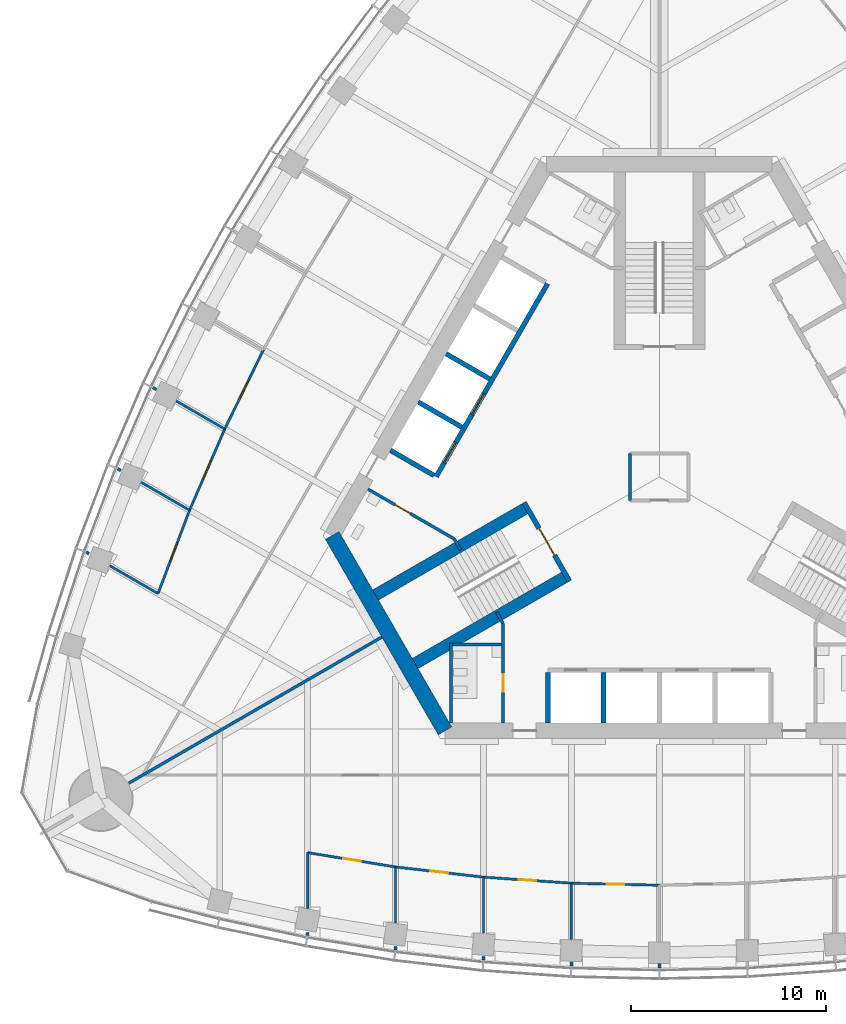
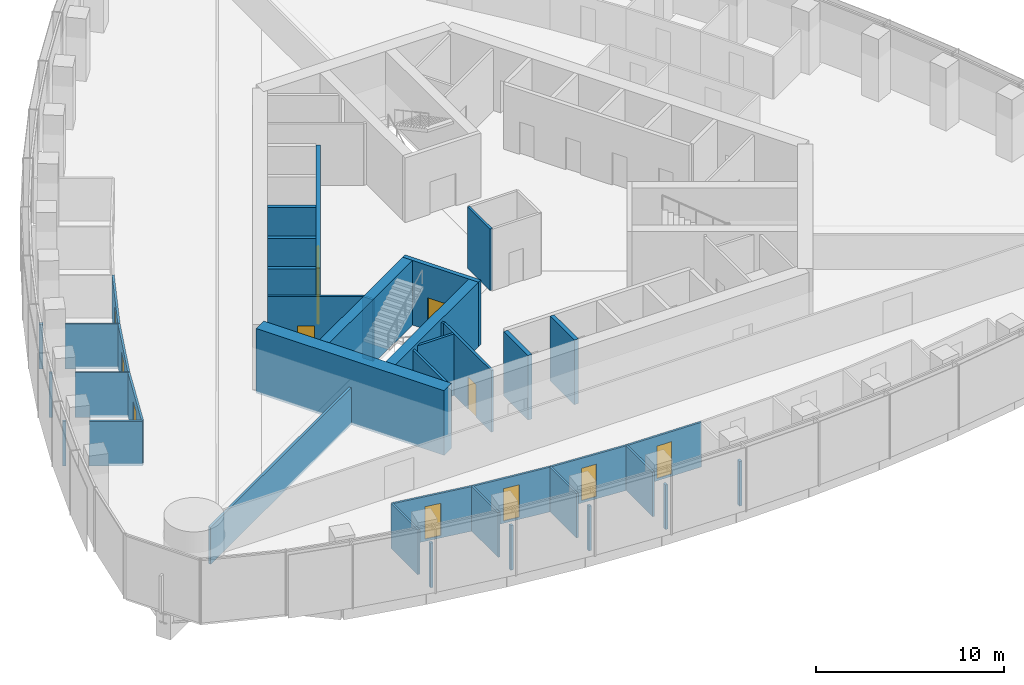
# One storey, part 11 of 20: 40 walls, 12 doors, 12 openings.
"""IFC4 building model written with IfcOpenShell, lengths in metres."""

from ifc_helpers import new_model, si_unit, direction, frame, frame_2d, origin, place, context, subcontext, project, spatial, rectangle, extrude, material, layer, layer_set, type_object, element, fill, save


model = new_model("IFC4")

# Units and contexts
model_context = context("Model", 3, precision=1e-05, world=origin(), true_north=direction((0.0, 1.0)))
body_context = subcontext(model_context, "Body", "Model", "MODEL_VIEW")
ifc_project = project(units=[si_unit("LENGTHUNIT", "METRE"), si_unit("AREAUNIT", "SQUARE_METRE"), si_unit("VOLUMEUNIT", "CUBIC_METRE"), si_unit("PLANEANGLEUNIT", "RADIAN"), si_unit("MASSUNIT", "GRAM", prefix="KILO")], contexts=[model_context])

# Site, building, storey
site_placement = place(None, origin())
site = spatial("IfcSite", under=ifc_project, at=site_placement, CompositionType="ELEMENT")
building_placement = place(site_placement, origin())
building = spatial("IfcBuilding", under=site, at=building_placement, Name="Trefoil Bronze Tower", CompositionType="ELEMENT")
storey_placement = place(building_placement, frame((0.0, 0.0, 219.10009765625)))
storey = spatial("IfcBuildingStorey", under=building, at=storey_placement, Name="L50", CompositionType="ELEMENT", Elevation=219.10009765625)

# Wall
ifc_material_1 = material(Name="Concrete B80", Category="concrete")
ifc_layer_1 = layer(ifc_material_1, 0.800048828125)
ifc_layer_set_1 = layer_set([ifc_layer_1], Name="Core wall 800")
wall_type_1 = type_object("IfcWallType", Name="Core wall 800", PredefinedType="SHEAR", material=ifc_layer_set_1)
wall_1_placement = place(storey_placement, frame((-16.7431640625, -3.0, 0.0), z_axis=(0.0, 0.0, 1.0), x_axis=(0.499995765644, -0.866027848477, 0.0)))
element("IfcWall", 1, at=wall_1_placement, inside=storey, type_object=wall_type_1, Name="Core short wall 3 L50", PredefinedType="SHEAR", context=body_context, shape_type="SweptSolid", body=[
    extrude(rectangle(XDim=11.546875, YDim=0.800048828125, at=frame_2d((5.7734375, 0.0))), origin(), (0.0, 0.0, 1.0), 4.199951171875),
])

# Wall, opening, door
ifc_material_2 = material(Name="Glazed partition", Category="glass")
ifc_layer_2 = layer(ifc_material_2, 0.1201171875)
ifc_layer_set_2 = layer_set([ifc_layer_2], Name="Glazed partition 120")
wall_type_2 = type_object("IfcWallType", Name="Glazed partition 120", PredefinedType="PARTITIONING", material=ifc_layer_set_2)
wall_2_placement = place(storey_placement, frame((-13.5, -19.966064453125, 0.0), z_axis=(0.0, 0.0, 1.0), x_axis=(0.993382946625, -0.114849124309, 0.0)))
wall_2 = element("IfcWall", 2, at=wall_2_placement, inside=storey, type_object=wall_type_2, Name="Partition F1 L50", PredefinedType="PARTITIONING", context=body_context, shape_type="SweptSolid", body=[
    extrude(rectangle(XDim=4.530029296875, YDim=0.1201171875, at=frame_2d((2.26513671875, 0.0))), origin(), (0.0, 0.0, 1.0), 2.89990234375),
])
opening_1_placement = place(wall_2_placement, frame((1.800048828125, 0.0, 0.14990234375)))
opening_1 = element("IfcOpeningElement", 3, at=opening_1_placement, cuts=wall_2, Name="Opening D8", PredefinedType="OPENING", context=body_context, shape_type="SweptSolid", body=[
    extrude(rectangle(XDim=0.89990234375, YDim=2.10009765625, at=frame_2d((0.449951171875, 1.050048828125))), frame((0.0, 0.070068359375, 0.0), z_axis=(0.0, -1.0, 0.0), x_axis=(1.0, 0.0, 0.0)), (0.0, 0.0, 1.0), 0.14013671875),
])
ifc_material_3 = material(Name="Timber door", Category="wood")
door_type_1 = type_object("IfcDoorType", Name="Office door 900", OperationType="SINGLE_SWING_LEFT", PredefinedType="DOOR", material=ifc_material_3)
door_1_placement = place(opening_1_placement, frame((0.89990234375, 0.0, 0.0), z_axis=(0.0, 0.0, 1.0), x_axis=(-1.0, 0.0, 0.0)))
door_1 = element("IfcDoor", 4, at=door_1_placement, inside=storey, type_object=door_type_1, Name="Office door F1 L50", OperationType="SINGLE_SWING_RIGHT", OverallHeight=2.10009765625, OverallWidth=0.89990234375, PredefinedType="DOOR", context=body_context, shape_type="SweptSolid", body=[
    extrude(rectangle(XDim=0.89990234375, YDim=2.10009765625, at=frame_2d((0.449951171875, 1.050048828125))), frame((0.0, 0.02490234375, 0.0), z_axis=(0.0, -1.0, 0.0), x_axis=(1.0, 0.0, 0.0)), (0.0, 0.0, 1.0), 0.050048828125),
])
fill(opening_1, door_1)

wall_3_placement = place(storey_placement, frame((-18.0, -19.23291015625, 0.0), z_axis=(0.0, 0.0, 1.0), x_axis=(0.986986525477, -0.160802980469, 0.0)))
wall_3 = element("IfcWall", 5, at=wall_3_placement, inside=storey, type_object=wall_type_2, Name="Partition F1 L50", PredefinedType="PARTITIONING", context=body_context, shape_type="SweptSolid", body=[
    extrude(rectangle(XDim=4.559326171875, YDim=0.1201171875, at=frame_2d((2.27978515625, 0.0))), origin(), (0.0, 0.0, 1.0), 2.89990234375),
])
opening_2_placement = place(wall_3_placement, frame((1.85009765625, 0.0, 0.14990234375)))
opening_2 = element("IfcOpeningElement", 6, at=opening_2_placement, cuts=wall_3, Name="Opening D8", PredefinedType="OPENING", context=body_context, shape_type="SweptSolid", body=[
    extrude(rectangle(XDim=0.89990234375, YDim=2.10009765625, at=frame_2d((0.449951171875, 1.050048828125))), frame((0.0, 0.070068359375, 0.0), z_axis=(0.0, -1.0, 0.0), x_axis=(1.0, 0.0, 0.0)), (0.0, 0.0, 1.0), 0.14013671875),
])
door_2_placement = place(opening_2_placement, frame((0.89990234375, 0.0, 0.0), z_axis=(0.0, 0.0, 1.0), x_axis=(-1.0, 0.0, 0.0)))
door_2 = element("IfcDoor", 7, at=door_2_placement, inside=storey, type_object=door_type_1, Name="Office door F1 L50", OperationType="SINGLE_SWING_LEFT", OverallHeight=2.10009765625, OverallWidth=0.89990234375, PredefinedType="DOOR", context=body_context, shape_type="SweptSolid", body=[
    extrude(rectangle(XDim=0.89990234375, YDim=2.10009765625, at=frame_2d((0.449951171875, 1.050048828125))), frame((0.0, 0.02490234375, 0.0), z_axis=(0.0, -1.0, 0.0), x_axis=(1.0, 0.0, 0.0)), (0.0, 0.0, 1.0), 0.050048828125),
])
fill(opening_2, door_2)

wall_4_placement = place(storey_placement, frame((-4.5, -20.797119140625, 0.0), z_axis=(0.0, 0.0, 1.0), x_axis=(0.99973552509, -0.022997388381, 0.0)))
wall_4 = element("IfcWall", 8, at=wall_4_placement, inside=storey, type_object=wall_type_2, Name="Partition F1 L50", PredefinedType="PARTITIONING", context=body_context, shape_type="SweptSolid", body=[
    extrude(rectangle(XDim=4.501220703125, YDim=0.1201171875, at=frame_2d((2.25048828125, 0.0))), origin(), (0.0, 0.0, 1.0), 2.89990234375),
])
opening_3_placement = place(wall_4_placement, frame((1.800048828125, 0.0, 0.14990234375)))
opening_3 = element("IfcOpeningElement", 9, at=opening_3_placement, cuts=wall_4, Name="Opening D8", PredefinedType="OPENING", context=body_context, shape_type="SweptSolid", body=[
    extrude(rectangle(XDim=0.89990234375, YDim=2.10009765625, at=frame_2d((0.449951171875, 1.050048828125))), frame((0.0, 0.070068359375, 0.0), z_axis=(0.0, -1.0, 0.0), x_axis=(1.0, 0.0, 0.0)), (0.0, 0.0, 1.0), 0.14013671875),
])
door_3_placement = place(opening_3_placement, frame((0.89990234375, 0.0, 0.0), z_axis=(0.0, 0.0, 1.0), x_axis=(-1.0, 0.0, 0.0)))
door_3 = element("IfcDoor", 10, at=door_3_placement, inside=storey, type_object=door_type_1, Name="Office door F1 L50", OperationType="SINGLE_SWING_RIGHT", OverallHeight=2.10009765625, OverallWidth=0.89990234375, PredefinedType="DOOR", context=body_context, shape_type="SweptSolid", body=[
    extrude(rectangle(XDim=0.89990234375, YDim=2.10009765625, at=frame_2d((0.449951171875, 1.050048828125))), frame((0.0, 0.02490234375, 0.0), z_axis=(0.0, -1.0, 0.0), x_axis=(1.0, 0.0, 0.0)), (0.0, 0.0, 1.0), 0.050048828125),
])
fill(opening_3, door_3)

wall_5_placement = place(storey_placement, frame((-9.0, -20.486328125, 0.0), z_axis=(0.0, 0.0, 1.0), x_axis=(0.997623533978, -0.068900540297, 0.0)))
wall_5 = element("IfcWall", 11, at=wall_5_placement, inside=storey, type_object=wall_type_2, Name="Partition F1 L50", PredefinedType="PARTITIONING", context=body_context, shape_type="SweptSolid", body=[
    extrude(rectangle(XDim=4.5107421875, YDim=0.1201171875, at=frame_2d((2.25537109375, 0.0))), origin(), (0.0, 0.0, 1.0), 2.89990234375),
])
opening_4_placement = place(wall_5_placement, frame((1.800048828125, 0.0, 0.14990234375)))
opening_4 = element("IfcOpeningElement", 12, at=opening_4_placement, cuts=wall_5, Name="Opening D8", PredefinedType="OPENING", context=body_context, shape_type="SweptSolid", body=[
    extrude(rectangle(XDim=0.89990234375, YDim=2.10009765625, at=frame_2d((0.449951171875, 1.050048828125))), frame((0.0, 0.070068359375, 0.0), z_axis=(0.0, -1.0, 0.0), x_axis=(1.0, 0.0, 0.0)), (0.0, 0.0, 1.0), 0.14013671875),
])
door_4_placement = place(opening_4_placement, frame((0.89990234375, 0.0, 0.0), z_axis=(0.0, 0.0, 1.0), x_axis=(-1.0, 0.0, 0.0)))
door_4 = element("IfcDoor", 13, at=door_4_placement, inside=storey, type_object=door_type_1, Name="Office door F1 L50", OperationType="SINGLE_SWING_RIGHT", OverallHeight=2.10009765625, OverallWidth=0.89990234375, PredefinedType="DOOR", context=body_context, shape_type="SweptSolid", body=[
    extrude(rectangle(XDim=0.89990234375, YDim=2.10009765625, at=frame_2d((0.449951171875, 1.050048828125))), frame((0.0, 0.02490234375, 0.0), z_axis=(0.0, -1.0, 0.0), x_axis=(1.0, 0.0, 0.0)), (0.0, 0.0, 1.0), 0.050048828125),
])
fill(opening_4, door_4)

# Walls
wall_6_placement = place(storey_placement, frame((-13.5, -19.966064453125, 0.0), z_axis=(0.0, 0.0, 1.0), x_axis=(0.0, -1.0, 0.0)))
element("IfcWall", 14, at=wall_6_placement, inside=storey, type_object=wall_type_2, Name="Partition F1 L50", PredefinedType="PARTITIONING", context=body_context, shape_type="SweptSolid", body=[
    extrude(rectangle(XDim=2.856689453125, YDim=0.1201171875, at=frame_2d((1.42822265625, 0.0))), origin(), (0.0, 0.0, 1.0), 2.89990234375),
])
wall_7_placement = place(storey_placement, frame((-18.0, -19.23291015625, 0.0), z_axis=(0.0, 0.0, 1.0), x_axis=(0.0, -1.0, 0.0)))
element("IfcWall", 15, at=wall_7_placement, inside=storey, type_object=wall_type_2, Name="Partition F1 L50", PredefinedType="PARTITIONING", context=body_context, shape_type="SweptSolid", body=[
    extrude(rectangle(XDim=2.84619140625, YDim=0.1201171875, at=frame_2d((1.423095703125, 0.0))), origin(), (0.0, 0.0, 1.0), 2.89990234375),
])
wall_8_placement = place(storey_placement, frame((-4.5, -20.797119140625, 0.0), z_axis=(0.0, 0.0, 1.0), x_axis=(0.0, -1.0, 0.0)))
element("IfcWall", 16, at=wall_8_placement, inside=storey, type_object=wall_type_2, Name="Partition F1 L50", PredefinedType="PARTITIONING", context=body_context, shape_type="SweptSolid", body=[
    extrude(rectangle(XDim=2.86865234375, YDim=0.1201171875, at=frame_2d((1.434326171875, 0.0))), origin(), (0.0, 0.0, 1.0), 2.89990234375),
])
wall_9_placement = place(storey_placement, frame((-9.0, -20.486328125, 0.0), z_axis=(0.0, 0.0, 1.0), x_axis=(0.0, -1.0, 0.0)))
element("IfcWall", 17, at=wall_9_placement, inside=storey, type_object=wall_type_2, Name="Partition F1 L50", PredefinedType="PARTITIONING", context=body_context, shape_type="SweptSolid", body=[
    extrude(rectangle(XDim=2.8642578125, YDim=0.1201171875, at=frame_2d((1.43212890625, 0.0))), origin(), (0.0, 0.0, 1.0), 2.89990234375),
])

# Wall, opening, door
wall_10_placement = place(storey_placement, frame((-24.041015625, -1.708251953125, 0.0), z_axis=(0.0, 0.0, 1.0), x_axis=(-0.3542667952, -0.935144394101, 0.0)))
wall_10 = element("IfcWall", 18, at=wall_10_placement, inside=storey, type_object=wall_type_2, Name="Partition F3 L50", PredefinedType="PARTITIONING", context=body_context, shape_type="SweptSolid", body=[
    extrude(rectangle(XDim=4.559326171875, YDim=0.1201171875, at=frame_2d((2.27978515625, 0.0))), origin(), (0.0, 0.0, 1.0), 2.89990234375),
])
opening_5_placement = place(wall_10_placement, frame((1.800048828125, 0.0, 0.14990234375)))
opening_5 = element("IfcOpeningElement", 19, at=opening_5_placement, cuts=wall_10, Name="Opening D9", PredefinedType="OPENING", context=body_context, shape_type="SweptSolid", body=[
    extrude(rectangle(XDim=1.0, YDim=2.10009765625, at=frame_2d((0.5, 1.050048828125))), frame((0.0, 0.070068359375, 0.0), z_axis=(0.0, -1.0, 0.0), x_axis=(1.0, 0.0, 0.0)), (0.0, 0.0, 1.0), 0.14013671875),
])
ifc_material_4 = material(Name="Glazed timber door", Category="wood")
door_type_2 = type_object("IfcDoorType", Name="Meeting room door 1000", OperationType="SINGLE_SWING_LEFT", PredefinedType="DOOR", material=ifc_material_4)
door_5_placement = place(opening_5_placement, frame((1.0, 0.0, 0.0), z_axis=(0.0, 0.0, 1.0), x_axis=(-1.0, 0.0, 0.0)))
door_5 = element("IfcDoor", 20, at=door_5_placement, inside=storey, type_object=door_type_2, Name="Meeting room door F3 L50", OperationType="SINGLE_SWING_LEFT", OverallHeight=2.10009765625, OverallWidth=1.0, PredefinedType="DOOR", context=body_context, shape_type="SweptSolid", body=[
    extrude(rectangle(XDim=1.0, YDim=2.10009765625, at=frame_2d((0.5, 1.050048828125))), frame((0.0, 0.02490234375, 0.0), z_axis=(0.0, -1.0, 0.0), x_axis=(1.0, 0.0, 0.0)), (0.0, 0.0, 1.0), 0.050048828125),
])
fill(opening_5, door_5)

wall_11_placement = place(storey_placement, frame((-20.260986328125, 6.50146484375, 0.0), z_axis=(0.0, 0.0, 1.0), x_axis=(-0.43911984878, -0.898428493764, 0.0)))
wall_11 = element("IfcWall", 21, at=wall_11_placement, inside=storey, type_object=wall_type_2, Name="Partition F3 L50", PredefinedType="PARTITIONING", context=body_context, shape_type="SweptSolid", body=[
    extrude(rectangle(XDim=4.5107421875, YDim=0.1201171875, at=frame_2d((2.25537109375, 0.0))), origin(), (0.0, 0.0, 1.0), 2.89990234375),
])
opening_6_placement = place(wall_11_placement, frame((1.800048828125, 0.0, 0.14990234375)))
opening_6 = element("IfcOpeningElement", 22, at=opening_6_placement, cuts=wall_11, Name="Opening D8", PredefinedType="OPENING", context=body_context, shape_type="SweptSolid", body=[
    extrude(rectangle(XDim=0.89990234375, YDim=2.10009765625, at=frame_2d((0.449951171875, 1.050048828125))), frame((0.0, 0.070068359375, 0.0), z_axis=(0.0, -1.0, 0.0), x_axis=(1.0, 0.0, 0.0)), (0.0, 0.0, 1.0), 0.14013671875),
])
door_6_placement = place(opening_6_placement, frame((0.89990234375, 0.0, 0.0), z_axis=(0.0, 0.0, 1.0), x_axis=(-1.0, 0.0, 0.0)))
door_6 = element("IfcDoor", 23, at=door_6_placement, inside=storey, type_object=door_type_1, Name="Office door F3 L50", OperationType="SINGLE_SWING_RIGHT", OverallHeight=2.10009765625, OverallWidth=0.89990234375, PredefinedType="DOOR", context=body_context, shape_type="SweptSolid", body=[
    extrude(rectangle(XDim=0.89990234375, YDim=2.10009765625, at=frame_2d((0.449951171875, 1.050048828125))), frame((0.0, 0.02490234375, 0.0), z_axis=(0.0, -1.0, 0.0), x_axis=(1.0, 0.0, 0.0)), (0.0, 0.0, 1.0), 0.050048828125),
])
fill(opening_6, door_6)

wall_12_placement = place(storey_placement, frame((-22.24169921875, 2.448974609375, 0.0), z_axis=(0.0, 0.0, 1.0), x_axis=(-0.397208101111, -0.917728567939, 0.0)))
wall_12 = element("IfcWall", 24, at=wall_12_placement, inside=storey, type_object=wall_type_2, Name="Partition F3 L50", PredefinedType="PARTITIONING", context=body_context, shape_type="SweptSolid", body=[
    extrude(rectangle(XDim=4.530029296875, YDim=0.1201171875, at=frame_2d((2.26513671875, 0.0))), origin(), (0.0, 0.0, 1.0), 2.89990234375),
])
opening_7_placement = place(wall_12_placement, frame((1.75, 0.0, 0.14990234375)))
opening_7 = element("IfcOpeningElement", 25, at=opening_7_placement, cuts=wall_12, Name="Opening D9", PredefinedType="OPENING", context=body_context, shape_type="SweptSolid", body=[
    extrude(rectangle(XDim=1.0, YDim=2.10009765625, at=frame_2d((0.5, 1.050048828125))), frame((0.0, 0.070068359375, 0.0), z_axis=(0.0, -1.0, 0.0), x_axis=(1.0, 0.0, 0.0)), (0.0, 0.0, 1.0), 0.14013671875),
])
door_7_placement = place(opening_7_placement, frame((1.0, 0.0, 0.0), z_axis=(0.0, 0.0, 1.0), x_axis=(-1.0, 0.0, 0.0)))
door_7 = element("IfcDoor", 26, at=door_7_placement, inside=storey, type_object=door_type_2, Name="Meeting room door F3 L50", OperationType="SINGLE_SWING_RIGHT", OverallHeight=2.10009765625, OverallWidth=1.0, PredefinedType="DOOR", context=body_context, shape_type="SweptSolid", body=[
    extrude(rectangle(XDim=1.0, YDim=2.10009765625, at=frame_2d((0.5, 1.050048828125))), frame((0.0, 0.02490234375, 0.0), z_axis=(0.0, -1.0, 0.0), x_axis=(1.0, 0.0, 0.0)), (0.0, 0.0, 1.0), 0.050048828125),
])
fill(opening_7, door_7)

# Walls
wall_13_placement = place(storey_placement, frame((-24.041015625, -1.708251953125, 0.0), z_axis=(0.0, 0.0, 1.0), x_axis=(-0.86605750902, 0.499944387978, 0.0)))
element("IfcWall", 27, at=wall_13_placement, inside=storey, type_object=wall_type_2, Name="Partition F3 L50", PredefinedType="PARTITIONING", context=body_context, shape_type="SweptSolid", body=[
    extrude(rectangle(XDim=2.856689453125, YDim=0.1201171875, at=frame_2d((1.42822265625, 0.0))), origin(), (0.0, 0.0, 1.0), 2.89990234375),
])
wall_14_placement = place(storey_placement, frame((-25.65625, -5.971923828125, 0.0), z_axis=(0.0, 0.0, 1.0), x_axis=(-0.866022741256, 0.500004611607, 0.0)))
element("IfcWall", 28, at=wall_14_placement, inside=storey, type_object=wall_type_2, Name="Partition F3 L50", PredefinedType="PARTITIONING", context=body_context, shape_type="SweptSolid", body=[
    extrude(rectangle(XDim=2.84619140625, YDim=0.1201171875, at=frame_2d((1.423095703125, 0.0))), origin(), (0.0, 0.0, 1.0), 2.89990234375),
])
wall_15_placement = place(storey_placement, frame((-22.24169921875, 2.448974609375, 0.0), z_axis=(0.0, 0.0, 1.0), x_axis=(-0.866020927947, 0.500007752297, 0.0)))
element("IfcWall", 29, at=wall_15_placement, inside=storey, type_object=wall_type_2, Name="Partition F3 L50", PredefinedType="PARTITIONING", context=body_context, shape_type="SweptSolid", body=[
    extrude(rectangle(XDim=2.8642578125, YDim=0.1201171875, at=frame_2d((1.43212890625, 0.0))), origin(), (0.0, 0.0, 1.0), 2.89990234375),
])

# Wall, opening, door
ifc_material_5 = material(Name="Gypsum board on steel studs", Category="steel")
ifc_layer_3 = layer(ifc_material_5, 0.14990234375)
ifc_layer_set_3 = layer_set([ifc_layer_3], Name="Partition 150")
wall_type_3 = type_object("IfcWallType", Name="Partition 150", PredefinedType="PARTITIONING", material=ifc_layer_set_3)
wall_16_placement = place(storey_placement, frame((-8.0, -7.5, 0.0), z_axis=(0.0, 0.0, 1.0), x_axis=(0.0, -1.0, 0.0)))
wall_16 = element("IfcWall", 30, at=wall_16_placement, inside=storey, type_object=wall_type_3, Name="Passage wall F1- L50", PredefinedType="PARTITIONING", context=body_context, shape_type="SweptSolid", body=[
    extrude(rectangle(XDim=5.10009765625, YDim=0.14990234375, at=frame_2d((2.550048828125, 0.0))), origin(), (0.0, 0.0, 1.0), 4.0),
])
opening_8_placement = place(wall_16_placement, frame((2.60009765625, 0.0, 0.0)))
opening_8 = element("IfcOpeningElement", 31, at=opening_8_placement, cuts=wall_16, Name="Opening D3", PredefinedType="OPENING", context=body_context, shape_type="SweptSolid", body=[
    extrude(rectangle(XDim=0.89990234375, YDim=2.10009765625, at=frame_2d((0.449951171875, 1.050048828125))), frame((0.0, 0.0849609375, 0.0), z_axis=(0.0, -1.0, 0.0), x_axis=(1.0, 0.0, 0.0)), (0.0, 0.0, 1.0), 0.169921875),
])
ifc_material_6 = material(Name="Timber door", Category="wood")
door_type_3 = type_object("IfcDoorType", Name="WC door 900", OperationType="SINGLE_SWING_LEFT", PredefinedType="DOOR", material=ifc_material_6)
door_8_placement = place(opening_8_placement, frame((0.89990234375, 0.0, 0.0), z_axis=(0.0, 0.0, 1.0), x_axis=(-1.0, 0.0, 0.0)))
door_8 = element("IfcDoor", 32, at=door_8_placement, inside=storey, type_object=door_type_3, Name="WC (women) door L50", OperationType="SINGLE_SWING_RIGHT", OverallHeight=2.10009765625, OverallWidth=0.89990234375, PredefinedType="DOOR", context=body_context, shape_type="SweptSolid", body=[
    extrude(rectangle(XDim=0.89990234375, YDim=2.10009765625, at=frame_2d((0.449951171875, 1.050048828125))), frame((0.0, 0.02490234375, 0.0), z_axis=(0.0, -1.0, 0.0), x_axis=(1.0, 0.0, 0.0)), (0.0, 0.0, 1.0), 0.050048828125),
])
fill(opening_8, door_8)

wall_17_placement = place(storey_placement, frame((-10.4951171875, -3.17822265625, 0.0), z_axis=(0.0, 0.0, 1.0), x_axis=(-0.86602216432, 0.500005610874, 0.0)))
wall_17 = element("IfcWall", 33, at=wall_17_placement, inside=storey, type_object=wall_type_3, Name="Passage wall F3+ L50", PredefinedType="PARTITIONING", context=body_context, shape_type="SweptSolid", body=[
    extrude(rectangle(XDim=5.10009765625, YDim=0.14990234375, at=frame_2d((2.550048828125, 0.0))), origin(), (0.0, 0.0, 1.0), 4.0),
])
opening_9_placement = place(wall_17_placement, frame((2.60009765625, 0.0, 0.0)))
opening_9 = element("IfcOpeningElement", 34, at=opening_9_placement, cuts=wall_17, Name="Opening D3", PredefinedType="OPENING", context=body_context, shape_type="SweptSolid", body=[
    extrude(rectangle(XDim=0.89990234375, YDim=2.10009765625, at=frame_2d((0.449951171875, 1.050048828125))), frame((0.0, 0.0849609375, 0.0), z_axis=(0.0, -1.0, 0.0), x_axis=(1.0, 0.0, 0.0)), (0.0, 0.0, 1.0), 0.169921875),
])
door_9_placement = place(opening_9_placement, origin())
door_9 = element("IfcDoor", 35, at=door_9_placement, inside=storey, type_object=door_type_3, Name="Accessible WC door L50", OperationType="SINGLE_SWING_RIGHT", OverallHeight=2.10009765625, OverallWidth=0.89990234375, PredefinedType="DOOR", context=body_context, shape_type="SweptSolid", body=[
    extrude(rectangle(XDim=0.89990234375, YDim=2.10009765625, at=frame_2d((0.449951171875, 1.050048828125))), frame((0.0, 0.02490234375, 0.0), z_axis=(0.0, -1.0, 0.0), x_axis=(1.0, 0.0, 0.0)), (0.0, 0.0, 1.0), 0.050048828125),
])
fill(opening_9, door_9)

# Walls
for number, where, z_axis, x_axis, name in (
    (36, (-10.4951171875, -3.17822265625, 0.0), (0.0, 0.0, 1.0), (0.499842556608, -0.866116284689, 0.0), "WC wall ST3-1 L50"),
    (37, (-8.0, -7.5, 0.0), (0.0, 0.0, 1.0), (-0.499842556608, 0.866116284689, 0.0), "WC wall ST3+1 L50"),
):
    element("IfcWall", number, at=place(storey_placement, frame(where, z_axis=z_axis, x_axis=x_axis)), inside=storey, type_object=wall_type_3, Name=name, PredefinedType="PARTITIONING", context=body_context, shape_type="SweptSolid", body=[
        extrude(rectangle(XDim=0.645263671875, YDim=0.14990234375, at=frame_2d((0.32275390625, 0.0))), origin(), (0.0, 0.0, 1.0), 4.0),
    ])
wall_18_placement = place(storey_placement, frame((-10.659912109375, -8.5, 0.0), z_axis=(0.0, 0.0, 1.0), x_axis=(0.0, -1.0, 0.0)))
element("IfcWall", 38, at=wall_18_placement, inside=storey, type_object=wall_type_3, Name="WC partition WC (women) L50", PredefinedType="PARTITIONING", context=body_context, shape_type="SweptSolid", body=[
    extrude(rectangle(XDim=4.10009765625, YDim=0.14990234375, at=frame_2d((2.050048828125, 0.0))), origin(), (0.0, 0.0, 1.0), 4.0),
])
wall_19_placement = place(storey_placement, frame((-8.074951171875, -8.574951171875, 0.0), z_axis=(0.0, 0.0, 1.0), x_axis=(-1.0, 0.0, 0.0)))
element("IfcWall", 39, at=wall_19_placement, inside=storey, type_object=wall_type_3, Name="WC partition WC (women) L50", PredefinedType="PARTITIONING", context=body_context, shape_type="SweptSolid", body=[
    extrude(rectangle(XDim=2.510009765625, YDim=0.14990234375, at=frame_2d((1.2548828125, 0.0))), origin(), (0.0, 0.0, 1.0), 4.0),
])
wall_20_placement = place(storey_placement, frame((0.0, -24.904541015625, 0.0), z_axis=(0.0, 0.0, 1.0), x_axis=(0.0, -1.0, 0.0)))
element("IfcWall", 40, at=wall_20_placement, inside=storey, type_object=wall_type_3, Name="Partition F1 L50", PredefinedType="PARTITIONING", context=body_context, shape_type="SweptSolid", body=[
    extrude(rectangle(XDim=0.2412109375, YDim=0.14990234375, at=frame_2d((0.12060546875, 0.0))), origin(), (0.0, 0.0, 1.0), 2.89990234375),
])
wall_21_placement = place(storey_placement, frame((-13.5, -24.032958984375, 0.0), z_axis=(0.0, 0.0, 1.0), x_axis=(0.0, -1.0, 0.0)))
element("IfcWall", 41, at=wall_21_placement, inside=storey, type_object=wall_type_3, Name="Partition F1 L50", PredefinedType="PARTITIONING", context=body_context, shape_type="SweptSolid", body=[
    extrude(rectangle(XDim=0.17822265625, YDim=0.14990234375, at=frame_2d((0.089111328125, 0.0))), origin(), (0.0, 0.0, 1.0), 2.89990234375),
])
wall_22_placement = place(storey_placement, frame((-18.0, -23.31494140625, 0.0), z_axis=(0.0, 0.0, 1.0), x_axis=(0.0, -1.0, 0.0)))
element("IfcWall", 42, at=wall_22_placement, inside=storey, type_object=wall_type_3, Name="Partition F1 L50", PredefinedType="PARTITIONING", context=body_context, shape_type="SweptSolid", body=[
    extrude(rectangle(XDim=0.1630859375, YDim=0.14990234375, at=frame_2d((0.08154296875, 0.0))), origin(), (0.0, 0.0, 1.0), 2.89990234375),
])
wall_23_placement = place(storey_placement, frame((-4.5, -24.8251953125, 0.0), z_axis=(0.0, 0.0, 1.0), x_axis=(0.0, -1.0, 0.0)))
element("IfcWall", 43, at=wall_23_placement, inside=storey, type_object=wall_type_3, Name="Partition F1 L50", PredefinedType="PARTITIONING", context=body_context, shape_type="SweptSolid", body=[
    extrude(rectangle(XDim=0.217041015625, YDim=0.14990234375, at=frame_2d((0.1083984375, 0.0))), origin(), (0.0, 0.0, 1.0), 2.89990234375),
])
wall_24_placement = place(storey_placement, frame((-9.0, -24.535400390625, 0.0), z_axis=(0.0, 0.0, 1.0), x_axis=(0.0, -1.0, 0.0)))
element("IfcWall", 44, at=wall_24_placement, inside=storey, type_object=wall_type_3, Name="Partition F1 L50", PredefinedType="PARTITIONING", context=body_context, shape_type="SweptSolid", body=[
    extrude(rectangle(XDim=0.196044921875, YDim=0.14990234375, at=frame_2d((0.09814453125, 0.0))), origin(), (0.0, 0.0, 1.0), 2.89990234375),
])
wall_25_placement = place(storey_placement, frame((-27.563232421875, 0.3251953125, 0.0), z_axis=(0.0, 0.0, 1.0), x_axis=(-0.865614066289, 0.500711781609, 0.0)))
element("IfcWall", 45, at=wall_25_placement, inside=storey, type_object=wall_type_3, Name="Partition F3 L50", PredefinedType="PARTITIONING", context=body_context, shape_type="SweptSolid", body=[
    extrude(rectangle(XDim=0.177978515625, YDim=0.14990234375, at=frame_2d((0.0888671875, 0.0))), origin(), (0.0, 0.0, 1.0), 2.89990234375),
])
wall_26_placement = place(storey_placement, frame((-29.19140625, -3.930908203125, 0.0), z_axis=(0.0, 0.0, 1.0), x_axis=(-0.866484919499, 0.499203249469, 0.0)))
element("IfcWall", 46, at=wall_26_placement, inside=storey, type_object=wall_type_3, Name="Partition F3 L50", PredefinedType="PARTITIONING", context=body_context, shape_type="SweptSolid", body=[
    extrude(rectangle(XDim=0.162841796875, YDim=0.14990234375, at=frame_2d((0.08154296875, 0.0))), origin(), (0.0, 0.0, 1.0), 2.89990234375),
])
wall_27_placement = place(storey_placement, frame((-25.748291015625, 4.473388671875, 0.0), z_axis=(0.0, 0.0, 1.0), x_axis=(-0.865625187776, 0.500692554656, 0.0)))
element("IfcWall", 47, at=wall_27_placement, inside=storey, type_object=wall_type_3, Name="Partition F3 L50", PredefinedType="PARTITIONING", context=body_context, shape_type="SweptSolid", body=[
    extrude(rectangle(XDim=0.196044921875, YDim=0.14990234375, at=frame_2d((0.09814453125, 0.0))), origin(), (0.0, 0.0, 1.0), 2.89990234375),
])
ifc_material_7 = material(Name="Gypsum board on steel studs", Category="steel")
ifc_layer_4 = layer(ifc_material_7, 0.14990234375)
ifc_layer_set_4 = layer_set([ifc_layer_4], Name="Party wall 150")
wall_type_4 = type_object("IfcWallType", Name="Party wall 150", PredefinedType="PARTITIONING", material=ifc_layer_set_4)
wall_28_placement = place(storey_placement, frame((-14.202880859375, -8.199951171875, 0.0), z_axis=(0.0, 0.0, 1.0), x_axis=(-0.866021600284, -0.500006587798, 0.0)))
element("IfcWall", 48, at=wall_28_placement, inside=storey, type_object=wall_type_4, Name="Party wall K3 L50", PredefinedType="PARTITIONING", context=body_context, shape_type="SweptSolid", body=[
    extrude(rectangle(XDim=14.949951171875, YDim=0.14990234375, at=frame_2d((7.47509765625, 0.0))), origin(), (0.0, 0.0, 1.0), 2.39990234375),
])
ifc_material_8 = material(Name="Gypsum board on steel studs", Category="steel")
ifc_layer_5 = layer(ifc_material_8, 0.14990234375)
ifc_layer_set_5 = layer_set([ifc_layer_5], Name="Riser wall 150")
wall_type_5 = type_object("IfcWallType", Name="Riser wall 150", PredefinedType="PARTITIONING", material=ifc_layer_set_5)
wall_29_placement = place(storey_placement, frame((-1.5, 1.199951171875, 0.0), z_axis=(0.0, 0.0, 1.0), x_axis=(0.0, -1.0, 0.0)))
element("IfcWall", 49, at=wall_29_placement, inside=storey, type_object=wall_type_5, Name="Riser wall L50", PredefinedType="PARTITIONING", context=body_context, shape_type="SweptSolid", body=[
    extrude(rectangle(XDim=2.39990234375, YDim=0.14990234375, at=frame_2d((1.199951171875, 0.0))), origin(), (0.0, 0.0, 1.0), 4.0),
])
ifc_material_9 = material(Name="Concrete B80", Category="concrete")
ifc_layer_6 = layer(ifc_material_9, 0.25)
ifc_layer_set_6 = layer_set([ifc_layer_6], Name="Shaft wall 250")
wall_type_6 = type_object("IfcWallType", Name="Shaft wall 250", PredefinedType="SHEAR", material=ifc_layer_set_6)
for number, where, z_axis, x_axis, name in (
    (50, (-5.699951171875, -10.02490234375, 0.0), (0.0, 0.0, 1.0), (0.0, -1.0, 0.0), "Lift shaft side wall A0 L50"),
    (51, (-2.85009765625, -10.02490234375, 0.0), (0.0, 0.0, 1.0), (0.0, -1.0, 0.0), "Lift shaft side wall A1 L50"),
):
    element("IfcWall", number, at=place(storey_placement, frame(where, z_axis=z_axis, x_axis=x_axis)), inside=storey, type_object=wall_type_6, Name=name, PredefinedType="SHEAR", context=body_context, shape_type="SweptSolid", body=[
        extrude(rectangle(XDim=2.5751953125, YDim=0.25, at=frame_2d((1.28759765625, 0.0))), origin(), (0.0, 0.0, 1.0), 4.199951171875),
    ])

# Wall, openings, doors
wall_30_placement = place(storey_placement, frame((-5.7236328125, 9.88623046875, 0.0), z_axis=(0.0, 0.0, 1.0), x_axis=(-0.500001763848, -0.866024385424, 0.0)))
wall_30 = element("IfcWall", 52, at=wall_30_placement, inside=storey, type_object=wall_type_6, Name="Lift shaft front wall C L50", PredefinedType="SHEAR", context=body_context, shape_type="SweptSolid", body=[
    extrude(rectangle(XDim=11.39990234375, YDim=0.25, at=frame_2d((5.699951171875, 0.0))), origin(), (0.0, 0.0, 1.0), 4.199951171875),
])
opening_10_placement = place(wall_30_placement, frame((6.52490234375, 0.0, 0.0)))
opening_10 = element("IfcOpeningElement", 53, at=opening_10_placement, cuts=wall_30, Name="Opening LD-FL1", PredefinedType="OPENING", context=body_context, shape_type="SweptSolid", body=[
    extrude(rectangle(XDim=1.199951171875, YDim=2.199951171875, at=frame_2d((0.60009765625, 1.10009765625))), frame((0.0, 0.135009765625, 0.0), z_axis=(0.0, -1.0, 0.0), x_axis=(1.0, 0.0, 0.0)), (0.0, 0.0, 1.0), 0.27001953125),
])
opening_11_placement = place(wall_30_placement, frame((9.375, 0.0, 0.0)))
opening_11 = element("IfcOpeningElement", 54, at=opening_11_placement, cuts=wall_30, Name="Opening LD-FL2", PredefinedType="OPENING", context=body_context, shape_type="SweptSolid", body=[
    extrude(rectangle(XDim=1.199951171875, YDim=2.199951171875, at=frame_2d((0.60009765625, 1.10009765625))), frame((0.0, 0.135009765625, 0.0), z_axis=(0.0, -1.0, 0.0), x_axis=(1.0, 0.0, 0.0)), (0.0, 0.0, 1.0), 0.27001953125),
])
ifc_material_10 = material(Name="Steel door", Category="steel")
door_type_4 = type_object("IfcDoorType", Name="Lift landing door 1200", OperationType="DOUBLE_DOOR_SLIDING", PredefinedType="DOOR", material=ifc_material_10)
door_10_placement = place(opening_10_placement, origin())
door_10 = element("IfcDoor", 55, at=door_10_placement, inside=storey, type_object=door_type_4, Name="Lift FL1 landing door L50", OperationType="DOUBLE_DOOR_SLIDING", OverallHeight=2.199951171875, OverallWidth=1.199951171875, PredefinedType="DOOR", context=body_context, shape_type="SweptSolid", body=[
    extrude(rectangle(XDim=1.199951171875, YDim=2.199951171875, at=frame_2d((0.60009765625, 1.10009765625))), frame((0.0, 0.02490234375, 0.0), z_axis=(0.0, -1.0, 0.0), x_axis=(1.0, 0.0, 0.0)), (0.0, 0.0, 1.0), 0.050048828125),
])
fill(opening_10, door_10)
door_11_placement = place(opening_11_placement, origin())
door_11 = element("IfcDoor", 56, at=door_11_placement, inside=storey, type_object=door_type_4, Name="Lift FL2 landing door L50", OperationType="DOUBLE_DOOR_SLIDING", OverallHeight=2.199951171875, OverallWidth=1.199951171875, PredefinedType="DOOR", context=body_context, shape_type="SweptSolid", body=[
    extrude(rectangle(XDim=1.199951171875, YDim=2.199951171875, at=frame_2d((0.60009765625, 1.10009765625))), frame((0.0, 0.02490234375, 0.0), z_axis=(0.0, -1.0, 0.0), x_axis=(1.0, 0.0, 0.0)), (0.0, 0.0, 1.0), 0.050048828125),
])
fill(opening_11, door_11)

# Walls
for number, where, z_axis, x_axis, name in (
    (57, (-8.681884765625, 5.012451171875, 0.0), (0.0, 0.0, 1.0), (-0.866005588531, 0.500034319456, 0.0), "Lift shaft side wall C2 L50"),
    (58, (-10.10693359375, 2.54443359375, 0.0), (0.0, 0.0, 1.0), (-0.866046643894, 0.499963209246, 0.0), "Lift shaft side wall C3 L50"),
    (59, (-11.531982421875, 0.076171875, 0.0), (0.0, 0.0, 1.0), (-0.866005588531, 0.500034319456, 0.0), "Lift shaft side wall C4 L50"),
):
    element("IfcWall", number, at=place(storey_placement, frame(where, z_axis=z_axis, x_axis=x_axis)), inside=storey, type_object=wall_type_6, Name=name, PredefinedType="SHEAR", context=body_context, shape_type="SweptSolid", body=[
        extrude(rectangle(XDim=2.574951171875, YDim=0.25, at=frame_2d((1.28759765625, 0.0))), origin(), (0.0, 0.0, 1.0), 4.199951171875),
    ])

# Wall, opening, door
wall_31_placement = place(storey_placement, frame((-6.921630859375, -1.3115234375, 0.0), z_axis=(0.0, 0.0, 1.0), x_axis=(0.499984536904, -0.866034331223, 0.0)))
wall_31 = element("IfcWall", 60, at=wall_31_placement, inside=storey, type_object=wall_type_6, Name="Stair end wall ST3 L50", PredefinedType="SHEAR", context=body_context, shape_type="SweptSolid", body=[
    extrude(rectangle(XDim=4.650146484375, YDim=0.25, at=frame_2d((2.3251953125, 0.0))), origin(), (0.0, 0.0, 1.0), 4.199951171875),
])
opening_12_placement = place(wall_31_placement, frame((1.52490234375, 0.0, 0.0)))
opening_12 = element("IfcOpeningElement", 61, at=opening_12_placement, cuts=wall_31, Name="Opening D1", PredefinedType="OPENING", context=body_context, shape_type="SweptSolid", body=[
    extrude(rectangle(XDim=1.60009765625, YDim=2.10009765625, at=frame_2d((0.800048828125, 1.050048828125))), frame((0.0, 0.135009765625, 0.0), z_axis=(0.0, -1.0, 0.0), x_axis=(1.0, 0.0, 0.0)), (0.0, 0.0, 1.0), 0.27001953125),
])
ifc_material_11 = material(Name="Steel door", Category="steel")
door_type_5 = type_object("IfcDoorType", Name="Stair door 1600", OperationType="DOUBLE_DOOR_SINGLE_SWING", PredefinedType="DOOR", material=ifc_material_11)
door_12_placement = place(opening_12_placement, frame((1.60009765625, 0.0, 0.0), z_axis=(0.0, 0.0, 1.0), x_axis=(-1.0, 0.0, 0.0)))
door_12 = element("IfcDoor", 62, at=door_12_placement, inside=storey, type_object=door_type_5, Name="Stair door ST3 L50", OperationType="DOUBLE_DOOR_SINGLE_SWING", OverallHeight=2.10009765625, OverallWidth=1.60009765625, PredefinedType="DOOR", context=body_context, shape_type="SweptSolid", body=[
    extrude(rectangle(XDim=1.60009765625, YDim=2.10009765625, at=frame_2d((0.800048828125, 1.050048828125))), frame((0.0, 0.02490234375, 0.0), z_axis=(0.0, -1.0, 0.0), x_axis=(1.0, 0.0, 0.0)), (0.0, 0.0, 1.0), 0.050048828125),
])
fill(opening_12, door_12)

# Walls
ifc_material_12 = material(Name="Concrete B80", Category="concrete")
ifc_layer_7 = layer(ifc_material_12, 0.60009765625)
ifc_layer_set_7 = layer_set([ifc_layer_7], Name="Stair wall 600")
wall_type_7 = type_object("IfcWallType", Name="Stair wall 600", PredefinedType="SHEAR", material=ifc_layer_set_7)
for number, where, z_axis, x_axis, name in (
    (63, (-6.663330078125, -1.5087890625, 0.0), (0.0, 0.0, 1.0), (-0.866019375473, -0.500010441196, 0.0), "Stair wall ST3 L50"),
    (64, (-4.638427734375, -5.01611328125, 0.0), (0.0, 0.0, 1.0), (-0.866019375473, -0.500010441196, 0.0), "Stair wall ST3 L50"),
):
    element("IfcWall", number, at=place(storey_placement, frame(where, z_axis=z_axis, x_axis=x_axis)), inside=storey, type_object=wall_type_7, Name=name, PredefinedType="SHEAR", context=body_context, shape_type="SweptSolid", body=[
        extrude(rectangle(XDim=9.074951171875, YDim=0.60009765625, at=frame_2d((4.53759765625, 0.0))), origin(), (0.0, 0.0, 1.0), 4.199951171875),
    ])

save(model, "model.ifc")
